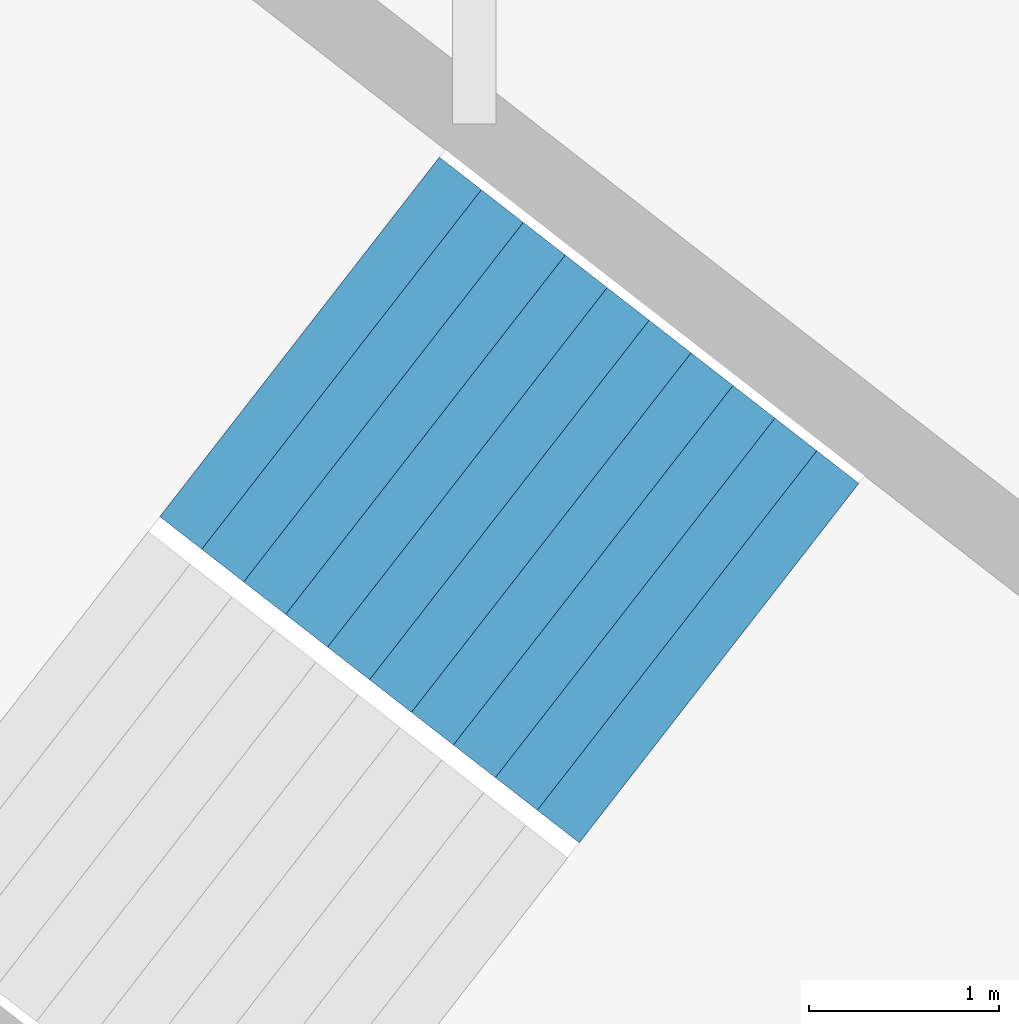
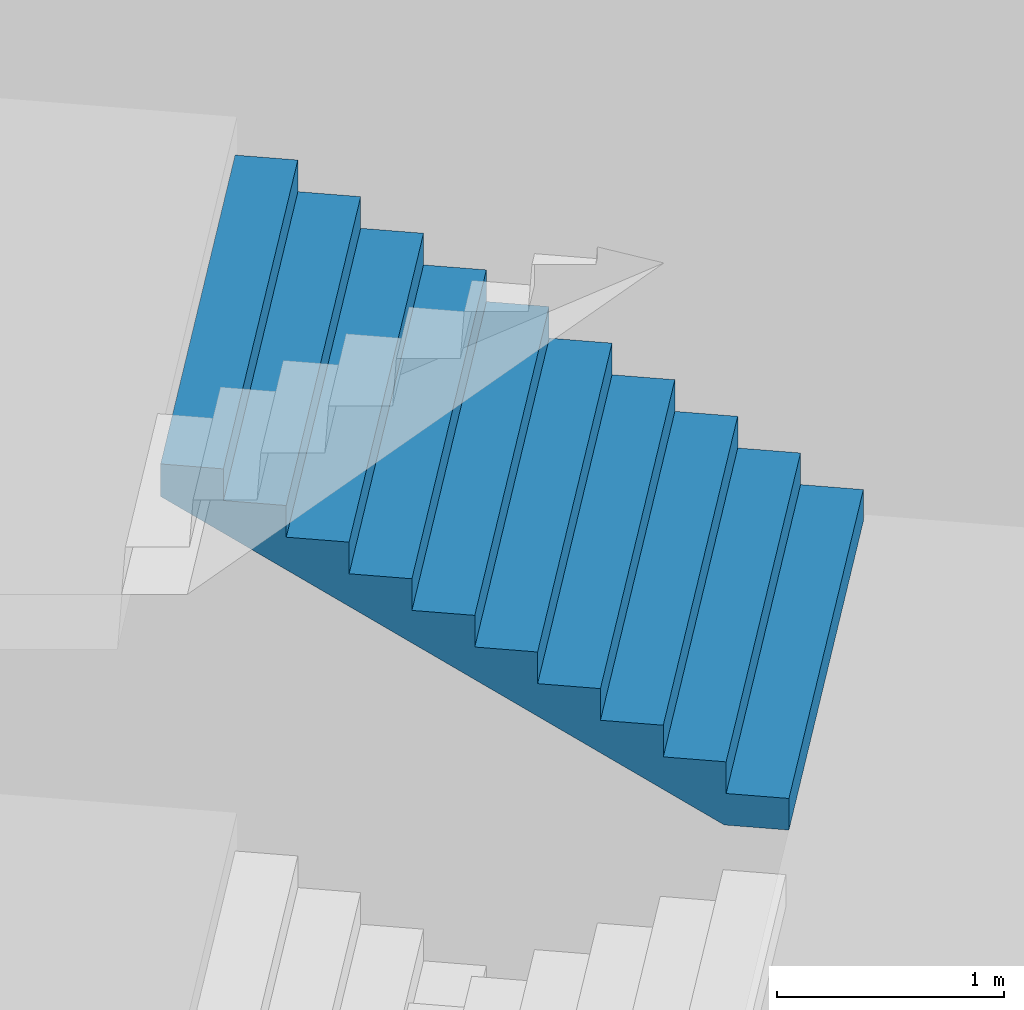
# One storey, part 40 of 73: 1 stair flight, 1 element without a shape of its own.
"""IFC4 building model written with IfcOpenShell, lengths in metres."""

from ifc_helpers import new_model, si_unit, direction, frame, origin, place, context, subcontext, project, spatial, triangles, material, type_object, element, aggregate, save


model = new_model("IFC4")

# Units and contexts
model_context = context("Model", 3, precision=1e-05, world=origin(), true_north=direction((0.0, 1.0)))
body_context = subcontext(model_context, "Body", "Model", "MODEL_VIEW")
ifc_project = project(units=[si_unit("LENGTHUNIT", "METRE"), si_unit("AREAUNIT", "SQUARE_METRE"), si_unit("VOLUMEUNIT", "CUBIC_METRE"), si_unit("PLANEANGLEUNIT", "RADIAN"), si_unit("MASSUNIT", "GRAM", prefix="KILO")], contexts=[model_context])

# Site, building, storey
site_placement = place(None, origin())
site = spatial("IfcSite", under=ifc_project, at=site_placement, CompositionType="ELEMENT")
building_placement = place(site_placement, origin())
building = spatial("IfcBuilding", under=site, at=building_placement, Name="Lantaw Convention Tower", CompositionType="ELEMENT")
storey_placement = place(building_placement, frame((0.0, 0.0, 14.5)))
storey = spatial("IfcBuildingStorey", under=building, at=storey_placement, Name="L02", CompositionType="ELEMENT", Elevation=14.5)

# Stair, stair flight
ifc_material = material(Name="Concrete C35/45", Category="concrete")
stair_type = type_object("IfcStairType", Name="Exit stair 2400 riser 170.45 in 4 flights", PredefinedType="HALF_TURN_STAIR", material=ifc_material)
stair_placement = place(storey_placement, origin())
stair = element("IfcStair", 1, at=stair_placement, inside=storey, type_object=stair_type, Name="Podium exit stair P7 L02", PredefinedType="HALF_TURN_STAIR")
stair_flight_type = type_object("IfcStairFlightType", Name="Stair flight 2400 riser 170.45", PredefinedType="STRAIGHT", material=ifc_material)
stair_flight_placement = place(storey_placement, frame((-27.959716796875, 23.327880859375, 3.75), z_axis=(0.0, 0.0, 1.0), x_axis=(-0.789378829664, 0.613906396186, 0.0)))
stair_flight = element("IfcStairFlight", 2, at=stair_flight_placement, type_object=stair_flight_type, Name="P7 flight 3", NumberOfRisers=11, NumberOfTreads=10, PredefinedType="STRAIGHT", RiserHeight=0.170454545, TreadLength=0.28, context=body_context, shape_type="Tessellation", body=[
    triangles([(0.0, 1.199951171875, 0.0), (0.0, 1.199951171875, 0.170454545), (0.28, 1.199951171875, 0.0), (0.28, 1.199951171875, 0.170454545), (0.28, 1.199951171875, 0.34090909), (0.28827876332691904, 1.199951171875, 0.0), (0.28827876332691904, 1.199951171875, 0.34090909), (0.56, 1.199951171875, 0.16541471344266906), (0.56, 1.199951171875, 0.34090909), (0.56, 1.199951171875, 0.511363635), (0.8400000000000001, 1.199951171875, 0.335869258442669), (0.8400000000000001, 1.199951171875, 0.511363635), (0.8400000000000001, 1.199951171875, 0.68181818), (1.12, 1.199951171875, 0.506323803442669), (1.12, 1.199951171875, 0.68181818), (1.12, 1.199951171875, 0.8522727250000001), (1.4000000000000001, 1.199951171875, 0.676778348442669), (1.4000000000000001, 1.199951171875, 0.8522727250000001), (1.4000000000000001, 1.199951171875, 1.02272727), (1.6800000000000002, 1.199951171875, 0.847232893442669), (1.6800000000000002, 1.199951171875, 1.02272727), (1.6800000000000002, 1.199951171875, 1.193181815), (1.9600000000000002, 1.199951171875, 1.017687438442669), (1.9600000000000002, 1.199951171875, 1.193181815), (1.9600000000000002, 1.199951171875, 1.36363636), (2.24, 1.199951171875, 1.188141983442669), (2.24, 1.199951171875, 1.36363636), (2.24, 1.199951171875, 1.5340909050000002), (2.5200000000000005, 1.199951171875, 1.358596528442669), (2.5200000000000005, 1.199951171875, 1.5340909050000002), (2.5200000000000005, 1.199951171875, 1.7045454500000001), (2.8000000000000003, 1.199951171875, 1.529051073442669), (2.8000000000000003, 1.199951171875, 1.7045454500000001), (0.0, -1.199951171875, 0.0), (0.0, -1.199951171875, 0.170454545), (0.28, -1.199951171875, 0.0), (0.28, -1.199951171875, 0.170454545), (0.28, -1.199951171875, 0.34090909), (0.28827876332691904, -1.199951171875, 0.0), (0.28827876332691904, -1.199951171875, 0.34090909), (0.56, -1.199951171875, 0.16541471344266906), (0.56, -1.199951171875, 0.34090909), (0.56, -1.199951171875, 0.511363635), (0.8400000000000001, -1.199951171875, 0.335869258442669), (0.8400000000000001, -1.199951171875, 0.511363635), (0.8400000000000001, -1.199951171875, 0.68181818), (1.12, -1.199951171875, 0.506323803442669), (1.12, -1.199951171875, 0.68181818), (1.12, -1.199951171875, 0.8522727250000001), (1.4000000000000001, -1.199951171875, 0.676778348442669), (1.4000000000000001, -1.199951171875, 0.8522727250000001), (1.4000000000000001, -1.199951171875, 1.02272727), (1.6800000000000002, -1.199951171875, 0.847232893442669), (1.6800000000000002, -1.199951171875, 1.02272727), (1.6800000000000002, -1.199951171875, 1.193181815), (1.9600000000000002, -1.199951171875, 1.017687438442669), (1.9600000000000002, -1.199951171875, 1.193181815), (1.9600000000000002, -1.199951171875, 1.36363636), (2.24, -1.199951171875, 1.188141983442669), (2.24, -1.199951171875, 1.36363636), (2.24, -1.199951171875, 1.5340909050000002), (2.5200000000000005, -1.199951171875, 1.358596528442669), (2.5200000000000005, -1.199951171875, 1.5340909050000002), (2.5200000000000005, -1.199951171875, 1.7045454500000001), (2.8000000000000003, -1.199951171875, 1.529051073442669), (2.8000000000000003, -1.199951171875, 1.7045454500000001), (0.0, 0.239990234375, 0.170454545), (0.0, 0.239990234375, 0.0), (0.0, 0.1199951171875, 0.170454545), (0.0, 0.1199951171875, 0.0), (0.0, 0.0, 0.170454545), (0.0, 0.0, 0.0), (0.0, -0.1199951171875, 0.170454545), (0.0, -0.1199951171875, 0.0), (0.0, -0.239990234375, 0.170454545), (0.0, -0.239990234375, 0.0), (0.28, 0.239990234375, 0.34090909), (0.28, 0.239990234375, 0.170454545), (0.28, 0.1199951171875, 0.34090909), (0.28, 0.1199951171875, 0.170454545), (0.28, 0.0, 0.34090909), (0.28, 0.0, 0.170454545), (0.28, -0.1199951171875, 0.34090909), (0.28, -0.1199951171875, 0.170454545), (0.28, -0.239990234375, 0.34090909), (0.28, -0.239990234375, 0.170454545), (0.56, 0.239990234375, 0.511363635), (0.56, 0.239990234375, 0.34090909), (0.56, 0.1199951171875, 0.511363635), (0.56, 0.1199951171875, 0.34090909), (0.56, 0.0, 0.511363635), (0.56, 0.0, 0.34090909), (0.56, -0.1199951171875, 0.511363635), (0.56, -0.1199951171875, 0.34090909), (0.56, -0.239990234375, 0.511363635), (0.56, -0.239990234375, 0.34090909), (0.8400000000000001, 0.239990234375, 0.68181818), (0.8400000000000001, 0.239990234375, 0.511363635), (0.8400000000000001, 0.1199951171875, 0.68181818), (0.8400000000000001, 0.1199951171875, 0.511363635), (0.8400000000000001, 0.0, 0.68181818), (0.8400000000000001, 0.0, 0.511363635), (0.8400000000000001, -0.1199951171875, 0.68181818), (0.8400000000000001, -0.1199951171875, 0.511363635), (0.8400000000000001, -0.239990234375, 0.68181818), (0.8400000000000001, -0.239990234375, 0.511363635), (1.12, 0.239990234375, 0.8522727250000001), (1.12, 0.239990234375, 0.68181818), (1.12, 0.1199951171875, 0.8522727250000001), (1.12, 0.1199951171875, 0.68181818), (1.12, 0.0, 0.8522727250000001), (1.12, 0.0, 0.68181818), (1.12, -0.1199951171875, 0.8522727250000001), (1.12, -0.1199951171875, 0.68181818), (1.12, -0.239990234375, 0.8522727250000001), (1.12, -0.239990234375, 0.68181818), (1.4000000000000001, 0.239990234375, 1.02272727), (1.4000000000000001, 0.239990234375, 0.8522727250000001), (1.4000000000000001, 0.1199951171875, 1.02272727), (1.4000000000000001, 0.1199951171875, 0.8522727250000001), (1.4000000000000001, 0.0, 1.02272727), (1.4000000000000001, 0.0, 0.8522727250000001), (1.4000000000000001, -0.1199951171875, 1.02272727), (1.4000000000000001, -0.1199951171875, 0.8522727250000001), (1.4000000000000001, -0.239990234375, 1.02272727), (1.4000000000000001, -0.239990234375, 0.8522727250000001), (1.6800000000000002, 0.239990234375, 1.193181815), (1.6800000000000002, 0.239990234375, 1.02272727), (1.6800000000000002, 0.1199951171875, 1.193181815), (1.6800000000000002, 0.1199951171875, 1.02272727), (1.6800000000000002, 0.0, 1.193181815), (1.6800000000000002, 0.0, 1.02272727), (1.6800000000000002, -0.1199951171875, 1.193181815), (1.6800000000000002, -0.1199951171875, 1.02272727), (1.6800000000000002, -0.239990234375, 1.193181815), (1.6800000000000002, -0.239990234375, 1.02272727), (1.9600000000000002, 0.239990234375, 1.36363636), (1.9600000000000002, 0.239990234375, 1.193181815), (1.9600000000000002, 0.1199951171875, 1.36363636), (1.9600000000000002, 0.1199951171875, 1.193181815), (1.9600000000000002, 0.0, 1.36363636), (1.9600000000000002, 0.0, 1.193181815), (1.9600000000000002, -0.1199951171875, 1.36363636), (1.9600000000000002, -0.1199951171875, 1.193181815), (1.9600000000000002, -0.239990234375, 1.36363636), (1.9600000000000002, -0.239990234375, 1.193181815), (2.24, 0.239990234375, 1.5340909050000002), (2.24, 0.239990234375, 1.36363636), (2.24, 0.1199951171875, 1.5340909050000002), (2.24, 0.1199951171875, 1.36363636), (2.24, 0.0, 1.5340909050000002), (2.24, 0.0, 1.36363636), (2.24, -0.1199951171875, 1.5340909050000002), (2.24, -0.1199951171875, 1.36363636), (2.24, -0.239990234375, 1.5340909050000002), (2.24, -0.239990234375, 1.36363636), (2.5200000000000005, 0.239990234375, 1.7045454500000001), (2.5200000000000005, 0.239990234375, 1.5340909050000002), (2.5200000000000005, 0.1199951171875, 1.7045454500000001), (2.5200000000000005, 0.1199951171875, 1.5340909050000002), (2.5200000000000005, 0.0, 1.7045454500000001), (2.5200000000000005, 0.0, 1.5340909050000002), (2.5200000000000005, -0.1199951171875, 1.7045454500000001), (2.5200000000000005, -0.1199951171875, 1.5340909050000002), (2.5200000000000005, -0.239990234375, 1.7045454500000001), (2.5200000000000005, -0.239990234375, 1.5340909050000002), (0.28827876332691904, 0.239990234375, 0.34090909), (0.28827876332691904, 0.1199951171875, 0.34090909), (0.28827876332691904, 0.0, 0.34090909), (0.28827876332691904, -0.1199951171875, 0.34090909), (0.28827876332691904, -0.239990234375, 0.34090909), (2.8000000000000003, 0.239990234375, 1.7045454500000001), (2.8000000000000003, 0.1199951171875, 1.7045454500000001), (2.8000000000000003, 0.0, 1.7045454500000001), (2.8000000000000003, -0.1199951171875, 1.7045454500000001), (2.8000000000000003, -0.239990234375, 1.7045454500000001), (2.8000000000000003, 0.239990234375, 1.5290510734426692), (2.8000000000000003, 0.1199951171875, 1.5290510734426692), (2.8000000000000003, 0.0, 1.5290510734426692), (2.8000000000000003, -0.1199951171875, 1.5290510734426692), (2.8000000000000003, -0.239990234375, 1.5290510734426692), (2.5200000000000005, 0.239990234375, 1.358596528442669), (2.5200000000000005, 0.1199951171875, 1.358596528442669), (2.5200000000000005, 0.0, 1.358596528442669), (2.5200000000000005, -0.1199951171875, 1.358596528442669), (2.5200000000000005, -0.239990234375, 1.358596528442669), (2.24, 0.239990234375, 1.188141983442669), (2.24, 0.1199951171875, 1.188141983442669), (2.24, 0.0, 1.188141983442669), (2.24, -0.1199951171875, 1.188141983442669), (2.24, -0.239990234375, 1.188141983442669), (1.9600000000000002, 0.239990234375, 1.017687438442669), (1.9600000000000002, 0.1199951171875, 1.017687438442669), (1.9600000000000002, 0.0, 1.017687438442669), (1.9600000000000002, -0.1199951171875, 1.017687438442669), (1.9600000000000002, -0.239990234375, 1.017687438442669), (1.6800000000000002, 0.239990234375, 0.847232893442669), (1.6800000000000002, 0.1199951171875, 0.847232893442669), (1.6800000000000002, 0.0, 0.847232893442669), (1.6800000000000002, -0.1199951171875, 0.847232893442669), (1.6800000000000002, -0.239990234375, 0.847232893442669), (1.4000000000000001, 0.239990234375, 0.676778348442669), (1.4000000000000001, 0.1199951171875, 0.676778348442669), (1.4000000000000001, 0.0, 0.676778348442669), (1.4000000000000001, -0.1199951171875, 0.676778348442669), (1.4000000000000001, -0.239990234375, 0.676778348442669), (1.12, 0.239990234375, 0.506323803442669), (1.12, 0.1199951171875, 0.506323803442669), (1.12, 0.0, 0.506323803442669), (1.12, -0.1199951171875, 0.506323803442669), (1.12, -0.239990234375, 0.506323803442669), (0.8400000000000001, 0.239990234375, 0.335869258442669), (0.8400000000000001, 0.1199951171875, 0.335869258442669), (0.8400000000000001, 0.0, 0.335869258442669), (0.8400000000000001, -0.1199951171875, 0.335869258442669), (0.8400000000000001, -0.239990234375, 0.335869258442669), (0.56, 0.239990234375, 0.16541471344266906), (0.56, 0.1199951171875, 0.16541471344266906), (0.56, 0.0, 0.16541471344266906), (0.56, -0.1199951171875, 0.16541471344266906), (0.56, -0.239990234375, 0.16541471344266906), (0.28827876332691904, 0.239990234375, 0.0), (0.28827876332691904, 0.1199951171875, 0.0), (0.28827876332691904, 0.0, 0.0), (0.28827876332691904, -0.1199951171875, 0.0), (0.28827876332691904, -0.239990234375, 0.0), (0.28, 0.239990234375, 0.0), (0.28, 0.1199951171875, 0.0), (0.28, 0.0, 0.0), (0.28, -0.1199951171875, 0.0), (0.28, -0.239990234375, 0.0)], [[1, 4, 3], [1, 2, 4], [3, 4, 6], [4, 7, 6], [4, 5, 7], [6, 9, 8], [6, 7, 9], [8, 9, 11], [9, 12, 11], [9, 10, 12], [11, 12, 14], [12, 15, 14], [12, 13, 15], [14, 15, 17], [15, 18, 17], [15, 16, 18], [17, 18, 20], [18, 21, 20], [18, 19, 21], [20, 21, 23], [21, 24, 23], [21, 22, 24], [23, 24, 26], [24, 27, 26], [24, 25, 27], [26, 27, 29], [27, 30, 29], [27, 28, 30], [29, 30, 32], [30, 33, 32], [30, 31, 33], [34, 36, 37], [34, 37, 35], [36, 39, 37], [37, 39, 40], [37, 40, 38], [39, 41, 42], [39, 42, 40], [41, 44, 42], [42, 44, 45], [42, 45, 43], [44, 47, 45], [45, 47, 48], [45, 48, 46], [47, 50, 48], [48, 50, 51], [48, 51, 49], [50, 53, 51], [51, 53, 54], [51, 54, 52], [53, 56, 54], [54, 56, 57], [54, 57, 55], [56, 59, 57], [57, 59, 60], [57, 60, 58], [59, 62, 60], [60, 62, 63], [60, 63, 61], [62, 65, 63], [63, 65, 66], [63, 66, 64], [1, 67, 2], [1, 68, 67], [68, 69, 67], [68, 70, 69], [70, 71, 69], [70, 72, 71], [72, 73, 71], [72, 74, 73], [74, 75, 73], [74, 76, 75], [76, 35, 75], [76, 34, 35], [4, 77, 5], [4, 78, 77], [78, 79, 77], [78, 80, 79], [80, 81, 79], [80, 82, 81], [82, 83, 81], [82, 84, 83], [84, 85, 83], [84, 86, 85], [86, 38, 85], [86, 37, 38], [9, 87, 10], [9, 88, 87], [88, 89, 87], [88, 90, 89], [90, 91, 89], [90, 92, 91], [92, 93, 91], [92, 94, 93], [94, 95, 93], [94, 96, 95], [96, 43, 95], [96, 42, 43], [12, 97, 13], [12, 98, 97], [98, 99, 97], [98, 100, 99], [100, 101, 99], [100, 102, 101], [102, 103, 101], [102, 104, 103], [104, 105, 103], [104, 106, 105], [106, 46, 105], [106, 45, 46], [15, 107, 16], [15, 108, 107], [108, 109, 107], [108, 110, 109], [110, 111, 109], [110, 112, 111], [112, 113, 111], [112, 114, 113], [114, 115, 113], [114, 116, 115], [116, 49, 115], [116, 48, 49], [18, 117, 19], [18, 118, 117], [118, 119, 117], [118, 120, 119], [120, 121, 119], [120, 122, 121], [122, 123, 121], [122, 124, 123], [124, 125, 123], [124, 126, 125], [126, 52, 125], [126, 51, 52], [21, 127, 22], [21, 128, 127], [128, 129, 127], [128, 130, 129], [130, 131, 129], [130, 132, 131], [132, 133, 131], [132, 134, 133], [134, 135, 133], [134, 136, 135], [136, 55, 135], [136, 54, 55], [24, 137, 25], [24, 138, 137], [138, 139, 137], [138, 140, 139], [140, 141, 139], [140, 142, 141], [142, 143, 141], [142, 144, 143], [144, 145, 143], [144, 146, 145], [146, 58, 145], [146, 57, 58], [27, 147, 28], [27, 148, 147], [148, 149, 147], [148, 150, 149], [150, 151, 149], [150, 152, 151], [152, 153, 151], [152, 154, 153], [154, 155, 153], [154, 156, 155], [156, 61, 155], [156, 60, 61], [30, 157, 31], [30, 158, 157], [158, 159, 157], [158, 160, 159], [160, 161, 159], [160, 162, 161], [162, 163, 161], [162, 164, 163], [164, 165, 163], [164, 166, 165], [166, 64, 165], [166, 63, 64], [2, 78, 4], [2, 67, 78], [67, 80, 78], [67, 69, 80], [69, 82, 80], [69, 71, 82], [71, 84, 82], [71, 73, 84], [73, 86, 84], [73, 75, 86], [75, 37, 86], [75, 35, 37], [5, 167, 7], [5, 77, 167], [77, 168, 167], [77, 79, 168], [79, 169, 168], [79, 81, 169], [81, 170, 169], [81, 83, 170], [83, 171, 170], [83, 85, 171], [85, 40, 171], [85, 38, 40], [7, 88, 9], [7, 167, 88], [167, 90, 88], [167, 168, 90], [168, 92, 90], [168, 169, 92], [169, 94, 92], [169, 170, 94], [170, 96, 94], [170, 171, 96], [171, 42, 96], [171, 40, 42], [10, 98, 12], [10, 87, 98], [87, 100, 98], [87, 89, 100], [89, 102, 100], [89, 91, 102], [91, 104, 102], [91, 93, 104], [93, 106, 104], [93, 95, 106], [95, 45, 106], [95, 43, 45], [13, 108, 15], [13, 97, 108], [97, 110, 108], [97, 99, 110], [99, 112, 110], [99, 101, 112], [101, 114, 112], [101, 103, 114], [103, 116, 114], [103, 105, 116], [105, 48, 116], [105, 46, 48], [16, 118, 18], [16, 107, 118], [107, 120, 118], [107, 109, 120], [109, 122, 120], [109, 111, 122], [111, 124, 122], [111, 113, 124], [113, 126, 124], [113, 115, 126], [115, 51, 126], [115, 49, 51], [19, 128, 21], [19, 117, 128], [117, 130, 128], [117, 119, 130], [119, 132, 130], [119, 121, 132], [121, 134, 132], [121, 123, 134], [123, 136, 134], [123, 125, 136], [125, 54, 136], [125, 52, 54], [22, 138, 24], [22, 127, 138], [127, 140, 138], [127, 129, 140], [129, 142, 140], [129, 131, 142], [131, 144, 142], [131, 133, 144], [133, 146, 144], [133, 135, 146], [135, 57, 146], [135, 55, 57], [25, 148, 27], [25, 137, 148], [137, 150, 148], [137, 139, 150], [139, 152, 150], [139, 141, 152], [141, 154, 152], [141, 143, 154], [143, 156, 154], [143, 145, 156], [145, 60, 156], [145, 58, 60], [28, 158, 30], [28, 147, 158], [147, 160, 158], [147, 149, 160], [149, 162, 160], [149, 151, 162], [151, 164, 162], [151, 153, 164], [153, 166, 164], [153, 155, 166], [155, 63, 166], [155, 61, 63], [31, 172, 33], [31, 157, 172], [157, 173, 172], [157, 159, 173], [159, 174, 173], [159, 161, 174], [161, 175, 174], [161, 163, 175], [163, 176, 175], [163, 165, 176], [165, 66, 176], [165, 64, 66], [33, 177, 32], [33, 172, 177], [172, 178, 177], [172, 173, 178], [173, 179, 178], [173, 174, 179], [174, 180, 179], [174, 175, 180], [175, 181, 180], [175, 176, 181], [176, 65, 181], [176, 66, 65], [32, 182, 29], [32, 177, 182], [177, 183, 182], [177, 178, 183], [178, 184, 183], [178, 179, 184], [179, 185, 184], [179, 180, 185], [180, 186, 185], [180, 181, 186], [181, 62, 186], [181, 65, 62], [29, 187, 26], [29, 182, 187], [182, 188, 187], [182, 183, 188], [183, 189, 188], [183, 184, 189], [184, 190, 189], [184, 185, 190], [185, 191, 190], [185, 186, 191], [186, 59, 191], [186, 62, 59], [26, 192, 23], [26, 187, 192], [187, 193, 192], [187, 188, 193], [188, 194, 193], [188, 189, 194], [189, 195, 194], [189, 190, 195], [190, 196, 195], [190, 191, 196], [191, 56, 196], [191, 59, 56], [23, 197, 20], [23, 192, 197], [192, 198, 197], [192, 193, 198], [193, 199, 198], [193, 194, 199], [194, 200, 199], [194, 195, 200], [195, 201, 200], [195, 196, 201], [196, 53, 201], [196, 56, 53], [20, 202, 17], [20, 197, 202], [197, 203, 202], [197, 198, 203], [198, 204, 203], [198, 199, 204], [199, 205, 204], [199, 200, 205], [200, 206, 205], [200, 201, 206], [201, 50, 206], [201, 53, 50], [17, 207, 14], [17, 202, 207], [202, 208, 207], [202, 203, 208], [203, 209, 208], [203, 204, 209], [204, 210, 209], [204, 205, 210], [205, 211, 210], [205, 206, 211], [206, 47, 211], [206, 50, 47], [14, 212, 11], [14, 207, 212], [207, 213, 212], [207, 208, 213], [208, 214, 213], [208, 209, 214], [209, 215, 214], [209, 210, 215], [210, 216, 215], [210, 211, 216], [211, 44, 216], [211, 47, 44], [11, 217, 8], [11, 212, 217], [212, 218, 217], [212, 213, 218], [213, 219, 218], [213, 214, 219], [214, 220, 219], [214, 215, 220], [215, 221, 220], [215, 216, 221], [216, 41, 221], [216, 44, 41], [8, 222, 6], [8, 217, 222], [217, 223, 222], [217, 218, 223], [218, 224, 223], [218, 219, 224], [219, 225, 224], [219, 220, 225], [220, 226, 225], [220, 221, 226], [221, 39, 226], [221, 41, 39], [6, 227, 3], [6, 222, 227], [222, 228, 227], [222, 223, 228], [223, 229, 228], [223, 224, 229], [224, 230, 229], [224, 225, 230], [225, 231, 230], [225, 226, 231], [226, 36, 231], [226, 39, 36], [3, 68, 1], [3, 227, 68], [227, 70, 68], [227, 228, 70], [228, 72, 70], [228, 229, 72], [229, 74, 72], [229, 230, 74], [230, 76, 74], [230, 231, 76], [231, 34, 76], [231, 36, 34]], closed=True),
])
aggregate(stair, [stair_flight])

save(model, "model.ifc")
